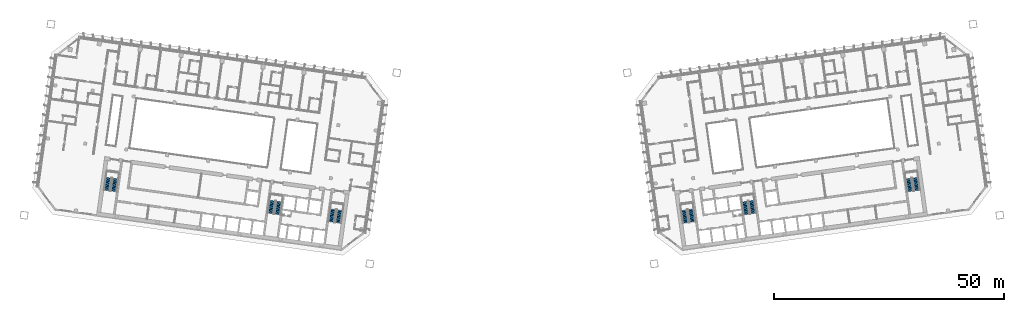
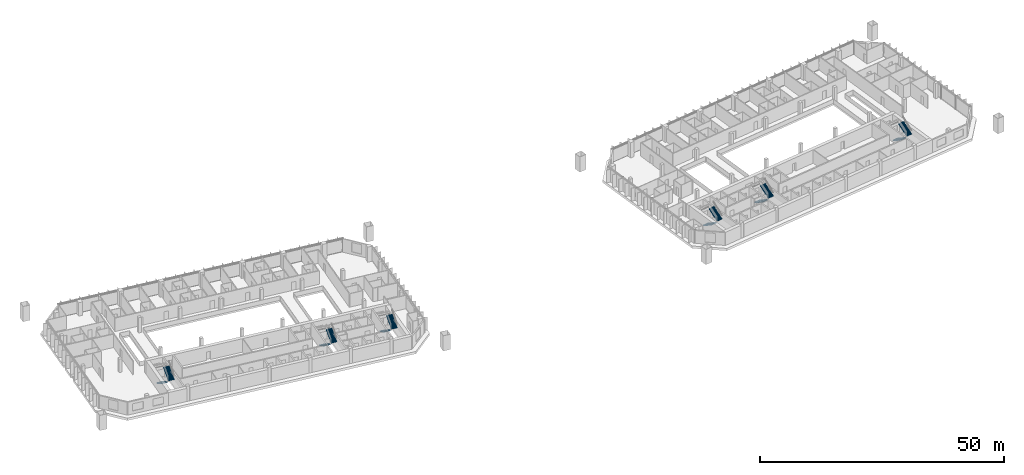
# One storey, part 24 of 26: 12 stair flights, 6 elements without a shape of their own.
"""IFC4 building model written with IfcOpenShell, lengths in metres."""

from ifc_helpers import new_model, si_unit, direction, frame, origin, place, context, subcontext, project, spatial, polyline, outline, extrude, material, type_object, element, aggregate, save


model = new_model("IFC4")

# Units and contexts
model_context = context("Model", 3, precision=1e-05, world=origin(), true_north=direction((0.0, 1.0)))
body_context = subcontext(model_context, "Body", "Model", "MODEL_VIEW")
ifc_project = project(units=[si_unit("LENGTHUNIT", "METRE"), si_unit("AREAUNIT", "SQUARE_METRE"), si_unit("VOLUMEUNIT", "CUBIC_METRE"), si_unit("PLANEANGLEUNIT", "RADIAN"), si_unit("MASSUNIT", "GRAM", prefix="KILO")], contexts=[model_context])

# Site, building, storey
site_placement = place(None, origin())
site = spatial("IfcSite", under=ifc_project, at=site_placement, CompositionType="ELEMENT")
building_placement = place(site_placement, origin())
building = spatial("IfcBuilding", under=site, at=building_placement, Name="Mirante Cascada Hotel Towers", CompositionType="ELEMENT")
storey_placement = place(building_placement, frame((0.0, 0.0, 144.3)))
storey = spatial("IfcBuildingStorey", under=building, at=storey_placement, Name="L33", CompositionType="ELEMENT", Elevation=144.3)

# Stair, stair flights
ifc_material_1 = material(Name="Concrete C35/45", Category="concrete")
stair_type = type_object("IfcStairType", Name="Exit stair half-turn 1350 concrete C35/45", PredefinedType="HALF_TURN_STAIR", material=ifc_material_1)
stair_1_placement = place(storey_placement, origin())
stair_1 = element("IfcStair", 1, at=stair_1_placement, inside=storey, type_object=stair_type, Name="L33 Exit stair A", PredefinedType="HALF_TURN_STAIR")
ifc_material_2 = material(Name="Concrete C35/45", Category="concrete")
stair_flight_type = type_object("IfcStairFlightType", Name="Exit stair flight 1350 concrete C35/45", PredefinedType="STRAIGHT", material=ifc_material_2)
stair_flight_1_placement = place(storey_placement, frame((-38.9417, -11.195, 0.0), z_axis=(0.0, 0.0, 1.0), x_axis=(-0.1391731, -0.9902681, 0.0)))
stair_flight_1 = element("IfcStairFlight", 2, at=stair_flight_1_placement, type_object=stair_flight_type, Name="ST1-A flight 1", NumberOfRisers=11, NumberOfTreads=10, PredefinedType="STRAIGHT", RiserHeight=0.172727273, TreadLength=0.28, context=body_context, shape_type="SweptSolid", body=[
    extrude(outline(polyline([(0.0, 0.0), (0.0, 0.1727), (0.28, 0.1727), (0.28, 0.3455), (0.56, 0.3455), (0.56, 0.5182), (0.84, 0.5182), (0.84, 0.6909), (1.12, 0.6909), (1.12, 0.8636), (1.4, 0.8636), (1.4, 1.0364), (1.68, 1.0364), (1.68, 1.2091), (1.96, 1.2091), (1.96, 1.3818), (2.24, 1.3818), (2.24, 1.5545), (2.52, 1.5545), (2.52, 1.7273), (2.8, 1.7273), (2.8, 1.9), (2.8, 1.551), (0.2857, 0.0), (0.0, 0.0)])), frame((0.0, 0.675, 0.0), z_axis=(0.0, -1.0, 0.0), x_axis=(1.0, 0.0, 0.0)), (0.0, 0.0, 1.0), 1.35),
])
stair_flight_2_placement = place(storey_placement, frame((-37.846, -14.1765, 1.9), z_axis=(0.0, 0.0, 1.0), x_axis=(0.1391731, 0.9902681, 0.0)))
stair_flight_2 = element("IfcStairFlight", 3, at=stair_flight_2_placement, type_object=stair_flight_type, Name="ST1-A flight 2", NumberOfRisers=11, NumberOfTreads=10, PredefinedType="STRAIGHT", RiserHeight=0.172727273, TreadLength=0.28, context=body_context, shape_type="SweptSolid", body=[
    extrude(outline(polyline([(0.0, 0.0), (0.0, 0.1727), (0.28, 0.1727), (0.28, 0.3455), (0.56, 0.3455), (0.56, 0.5182), (0.84, 0.5182), (0.84, 0.6909), (1.12, 0.6909), (1.12, 0.8636), (1.4, 0.8636), (1.4, 1.0364), (1.68, 1.0364), (1.68, 1.2091), (1.96, 1.2091), (1.96, 1.3818), (2.24, 1.3818), (2.24, 1.5545), (2.52, 1.5545), (2.52, 1.7273), (2.8, 1.7273), (2.8, 1.9), (2.8, 1.551), (0.2857, 0.0), (0.0, 0.0)])), frame((0.0, 0.675, 0.0), z_axis=(0.0, -1.0, 0.0), x_axis=(1.0, 0.0, 0.0)), (0.0, 0.0, 1.0), 1.35),
])
aggregate(stair_1, [stair_flight_1, stair_flight_2])

stair_2_placement = place(storey_placement, origin())
stair_2 = element("IfcStair", 4, at=stair_2_placement, inside=storey, type_object=stair_type, Name="L33 Exit stair B", PredefinedType="HALF_TURN_STAIR")
stair_flight_3_placement = place(storey_placement, frame((-52.1618, -9.3371, 0.0), z_axis=(0.0, 0.0, 1.0), x_axis=(-0.1391731, -0.9902681, 0.0)))
stair_flight_3 = element("IfcStairFlight", 5, at=stair_flight_3_placement, type_object=stair_flight_type, Name="ST1-B flight 1", NumberOfRisers=11, NumberOfTreads=10, PredefinedType="STRAIGHT", RiserHeight=0.172727273, TreadLength=0.28, context=body_context, shape_type="SweptSolid", body=[
    extrude(outline(polyline([(0.0, 0.0), (0.0, 0.1727), (0.28, 0.1727), (0.28, 0.3455), (0.56, 0.3455), (0.56, 0.5182), (0.84, 0.5182), (0.84, 0.6909), (1.12, 0.6909), (1.12, 0.8636), (1.4, 0.8636), (1.4, 1.0364), (1.68, 1.0364), (1.68, 1.2091), (1.96, 1.2091), (1.96, 1.3818), (2.24, 1.3818), (2.24, 1.5545), (2.52, 1.5545), (2.52, 1.7273), (2.8, 1.7273), (2.8, 1.9), (2.8, 1.551), (0.2857, 0.0), (0.0, 0.0)])), frame((0.0, 0.675, 0.0), z_axis=(0.0, -1.0, 0.0), x_axis=(1.0, 0.0, 0.0)), (0.0, 0.0, 1.0), 1.35),
])
stair_flight_4_placement = place(storey_placement, frame((-51.0661, -12.3186, 1.9), z_axis=(0.0, 0.0, 1.0), x_axis=(0.1391731, 0.9902681, 0.0)))
stair_flight_4 = element("IfcStairFlight", 6, at=stair_flight_4_placement, type_object=stair_flight_type, Name="ST1-B flight 2", NumberOfRisers=11, NumberOfTreads=10, PredefinedType="STRAIGHT", RiserHeight=0.172727273, TreadLength=0.28, context=body_context, shape_type="SweptSolid", body=[
    extrude(outline(polyline([(0.0, 0.0), (0.0, 0.1727), (0.28, 0.1727), (0.28, 0.3455), (0.56, 0.3455), (0.56, 0.5182), (0.84, 0.5182), (0.84, 0.6909), (1.12, 0.6909), (1.12, 0.8636), (1.4, 0.8636), (1.4, 1.0364), (1.68, 1.0364), (1.68, 1.2091), (1.96, 1.2091), (1.96, 1.3818), (2.24, 1.3818), (2.24, 1.5545), (2.52, 1.5545), (2.52, 1.7273), (2.8, 1.7273), (2.8, 1.9), (2.8, 1.551), (0.2857, 0.0), (0.0, 0.0)])), frame((0.0, 0.675, 0.0), z_axis=(0.0, -1.0, 0.0), x_axis=(1.0, 0.0, 0.0)), (0.0, 0.0, 1.0), 1.35),
])
aggregate(stair_2, [stair_flight_3, stair_flight_4])

stair_3_placement = place(storey_placement, origin())
stair_3 = element("IfcStair", 7, at=stair_3_placement, inside=storey, type_object=stair_type, Name="L33 Exit stair C", PredefinedType="HALF_TURN_STAIR")
stair_flight_5_placement = place(storey_placement, frame((-87.8115, -4.3268, 0.0), z_axis=(0.0, 0.0, 1.0), x_axis=(-0.1391731, -0.9902681, 0.0)))
stair_flight_5 = element("IfcStairFlight", 8, at=stair_flight_5_placement, type_object=stair_flight_type, Name="ST1-C flight 1", NumberOfRisers=11, NumberOfTreads=10, PredefinedType="STRAIGHT", RiserHeight=0.172727273, TreadLength=0.28, context=body_context, shape_type="SweptSolid", body=[
    extrude(outline(polyline([(0.0, 0.0), (0.0, 0.1727), (0.28, 0.1727), (0.28, 0.3455), (0.56, 0.3455), (0.56, 0.5182), (0.84, 0.5182), (0.84, 0.6909), (1.12, 0.6909), (1.12, 0.8636), (1.4, 0.8636), (1.4, 1.0364), (1.68, 1.0364), (1.68, 1.2091), (1.96, 1.2091), (1.96, 1.3818), (2.24, 1.3818), (2.24, 1.5545), (2.52, 1.5545), (2.52, 1.7273), (2.8, 1.7273), (2.8, 1.9), (2.8, 1.551), (0.2857, 0.0), (0.0, 0.0)])), frame((0.0, 0.675, 0.0), z_axis=(0.0, -1.0, 0.0), x_axis=(1.0, 0.0, 0.0)), (0.0, 0.0, 1.0), 1.35),
])
stair_flight_6_placement = place(storey_placement, frame((-86.7157, -7.3084, 1.9), z_axis=(0.0, 0.0, 1.0), x_axis=(0.1391731, 0.9902681, 0.0)))
stair_flight_6 = element("IfcStairFlight", 9, at=stair_flight_6_placement, type_object=stair_flight_type, Name="ST1-C flight 2", NumberOfRisers=11, NumberOfTreads=10, PredefinedType="STRAIGHT", RiserHeight=0.172727273, TreadLength=0.28, context=body_context, shape_type="SweptSolid", body=[
    extrude(outline(polyline([(0.0, 0.0), (0.0, 0.1727), (0.28, 0.1727), (0.28, 0.3455), (0.56, 0.3455), (0.56, 0.5182), (0.84, 0.5182), (0.84, 0.6909), (1.12, 0.6909), (1.12, 0.8636), (1.4, 0.8636), (1.4, 1.0364), (1.68, 1.0364), (1.68, 1.2091), (1.96, 1.2091), (1.96, 1.3818), (2.24, 1.3818), (2.24, 1.5545), (2.52, 1.5545), (2.52, 1.7273), (2.8, 1.7273), (2.8, 1.9), (2.8, 1.551), (0.2857, 0.0), (0.0, 0.0)])), frame((0.0, 0.675, 0.0), z_axis=(0.0, -1.0, 0.0), x_axis=(1.0, 0.0, 0.0)), (0.0, 0.0, 1.0), 1.35),
])
aggregate(stair_3, [stair_flight_5, stair_flight_6])

stair_4_placement = place(storey_placement, origin())
stair_4 = element("IfcStair", 10, at=stair_4_placement, inside=storey, type_object=stair_type, Name="L33 Exit stair A", PredefinedType="HALF_TURN_STAIR")
stair_flight_7_placement = place(storey_placement, frame((37.4563, -11.4038, 0.0), z_axis=(0.0, 0.0, 1.0), x_axis=(0.1391731, -0.9902681, 0.0)))
stair_flight_7 = element("IfcStairFlight", 11, at=stair_flight_7_placement, type_object=stair_flight_type, Name="ST2-A flight 1", NumberOfRisers=11, NumberOfTreads=10, PredefinedType="STRAIGHT", RiserHeight=0.172727273, TreadLength=0.28, context=body_context, shape_type="SweptSolid", body=[
    extrude(outline(polyline([(0.0, 0.0), (0.0, 0.1727), (0.28, 0.1727), (0.28, 0.3455), (0.56, 0.3455), (0.56, 0.5182), (0.84, 0.5182), (0.84, 0.6909), (1.12, 0.6909), (1.12, 0.8636), (1.4, 0.8636), (1.4, 1.0364), (1.68, 1.0364), (1.68, 1.2091), (1.96, 1.2091), (1.96, 1.3818), (2.24, 1.3818), (2.24, 1.5545), (2.52, 1.5545), (2.52, 1.7273), (2.8, 1.7273), (2.8, 1.9), (2.8, 1.551), (0.2857, 0.0), (0.0, 0.0)])), frame((0.0, 0.675, 0.0), z_axis=(0.0, -1.0, 0.0), x_axis=(1.0, 0.0, 0.0)), (0.0, 0.0, 1.0), 1.35),
])
stair_flight_8_placement = place(storey_placement, frame((39.3314, -13.9678, 1.9), z_axis=(0.0, 0.0, 1.0), x_axis=(-0.1391731, 0.9902681, 0.0)))
stair_flight_8 = element("IfcStairFlight", 12, at=stair_flight_8_placement, type_object=stair_flight_type, Name="ST2-A flight 2", NumberOfRisers=11, NumberOfTreads=10, PredefinedType="STRAIGHT", RiserHeight=0.172727273, TreadLength=0.28, context=body_context, shape_type="SweptSolid", body=[
    extrude(outline(polyline([(0.0, 0.0), (0.0, 0.1727), (0.28, 0.1727), (0.28, 0.3455), (0.56, 0.3455), (0.56, 0.5182), (0.84, 0.5182), (0.84, 0.6909), (1.12, 0.6909), (1.12, 0.8636), (1.4, 0.8636), (1.4, 1.0364), (1.68, 1.0364), (1.68, 1.2091), (1.96, 1.2091), (1.96, 1.3818), (2.24, 1.3818), (2.24, 1.5545), (2.52, 1.5545), (2.52, 1.7273), (2.8, 1.7273), (2.8, 1.9), (2.8, 1.551), (0.2857, 0.0), (0.0, 0.0)])), frame((0.0, 0.675, 0.0), z_axis=(0.0, -1.0, 0.0), x_axis=(1.0, 0.0, 0.0)), (0.0, 0.0, 1.0), 1.35),
])
aggregate(stair_4, [stair_flight_7, stair_flight_8])

stair_5_placement = place(storey_placement, origin())
stair_5 = element("IfcStair", 13, at=stair_5_placement, inside=storey, type_object=stair_type, Name="L33 Exit stair B", PredefinedType="HALF_TURN_STAIR")
stair_flight_9_placement = place(storey_placement, frame((50.6764, -9.5458, 0.0), z_axis=(0.0, 0.0, 1.0), x_axis=(0.1391731, -0.9902681, 0.0)))
stair_flight_9 = element("IfcStairFlight", 14, at=stair_flight_9_placement, type_object=stair_flight_type, Name="ST2-B flight 1", NumberOfRisers=11, NumberOfTreads=10, PredefinedType="STRAIGHT", RiserHeight=0.172727273, TreadLength=0.28, context=body_context, shape_type="SweptSolid", body=[
    extrude(outline(polyline([(0.0, 0.0), (0.0, 0.1727), (0.28, 0.1727), (0.28, 0.3455), (0.56, 0.3455), (0.56, 0.5182), (0.84, 0.5182), (0.84, 0.6909), (1.12, 0.6909), (1.12, 0.8636), (1.4, 0.8636), (1.4, 1.0364), (1.68, 1.0364), (1.68, 1.2091), (1.96, 1.2091), (1.96, 1.3818), (2.24, 1.3818), (2.24, 1.5545), (2.52, 1.5545), (2.52, 1.7273), (2.8, 1.7273), (2.8, 1.9), (2.8, 1.551), (0.2857, 0.0), (0.0, 0.0)])), frame((0.0, 0.675, 0.0), z_axis=(0.0, -1.0, 0.0), x_axis=(1.0, 0.0, 0.0)), (0.0, 0.0, 1.0), 1.35),
])
stair_flight_10_placement = place(storey_placement, frame((52.5515, -12.1098, 1.9), z_axis=(0.0, 0.0, 1.0), x_axis=(-0.1391731, 0.9902681, 0.0)))
stair_flight_10 = element("IfcStairFlight", 15, at=stair_flight_10_placement, type_object=stair_flight_type, Name="ST2-B flight 2", NumberOfRisers=11, NumberOfTreads=10, PredefinedType="STRAIGHT", RiserHeight=0.172727273, TreadLength=0.28, context=body_context, shape_type="SweptSolid", body=[
    extrude(outline(polyline([(0.0, 0.0), (0.0, 0.1727), (0.28, 0.1727), (0.28, 0.3455), (0.56, 0.3455), (0.56, 0.5182), (0.84, 0.5182), (0.84, 0.6909), (1.12, 0.6909), (1.12, 0.8636), (1.4, 0.8636), (1.4, 1.0364), (1.68, 1.0364), (1.68, 1.2091), (1.96, 1.2091), (1.96, 1.3818), (2.24, 1.3818), (2.24, 1.5545), (2.52, 1.5545), (2.52, 1.7273), (2.8, 1.7273), (2.8, 1.9), (2.8, 1.551), (0.2857, 0.0), (0.0, 0.0)])), frame((0.0, 0.675, 0.0), z_axis=(0.0, -1.0, 0.0), x_axis=(1.0, 0.0, 0.0)), (0.0, 0.0, 1.0), 1.35),
])
aggregate(stair_5, [stair_flight_9, stair_flight_10])

stair_6_placement = place(storey_placement, origin())
stair_6 = element("IfcStair", 16, at=stair_6_placement, inside=storey, type_object=stair_type, Name="L33 Exit stair C", PredefinedType="HALF_TURN_STAIR")
stair_flight_11_placement = place(storey_placement, frame((86.326, -4.5356, 0.0), z_axis=(0.0, 0.0, 1.0), x_axis=(0.1391731, -0.9902681, 0.0)))
stair_flight_11 = element("IfcStairFlight", 17, at=stair_flight_11_placement, type_object=stair_flight_type, Name="ST2-C flight 1", NumberOfRisers=11, NumberOfTreads=10, PredefinedType="STRAIGHT", RiserHeight=0.172727273, TreadLength=0.28, context=body_context, shape_type="SweptSolid", body=[
    extrude(outline(polyline([(0.0, 0.0), (0.0, 0.1727), (0.28, 0.1727), (0.28, 0.3455), (0.56, 0.3455), (0.56, 0.5182), (0.84, 0.5182), (0.84, 0.6909), (1.12, 0.6909), (1.12, 0.8636), (1.4, 0.8636), (1.4, 1.0364), (1.68, 1.0364), (1.68, 1.2091), (1.96, 1.2091), (1.96, 1.3818), (2.24, 1.3818), (2.24, 1.5545), (2.52, 1.5545), (2.52, 1.7273), (2.8, 1.7273), (2.8, 1.9), (2.8, 1.551), (0.2857, 0.0), (0.0, 0.0)])), frame((0.0, 0.675, 0.0), z_axis=(0.0, -1.0, 0.0), x_axis=(1.0, 0.0, 0.0)), (0.0, 0.0, 1.0), 1.35),
])
stair_flight_12_placement = place(storey_placement, frame((88.2011, -7.0996, 1.9), z_axis=(0.0, 0.0, 1.0), x_axis=(-0.1391731, 0.9902681, 0.0)))
stair_flight_12 = element("IfcStairFlight", 18, at=stair_flight_12_placement, type_object=stair_flight_type, Name="ST2-C flight 2", NumberOfRisers=11, NumberOfTreads=10, PredefinedType="STRAIGHT", RiserHeight=0.172727273, TreadLength=0.28, context=body_context, shape_type="SweptSolid", body=[
    extrude(outline(polyline([(0.0, 0.0), (0.0, 0.1727), (0.28, 0.1727), (0.28, 0.3455), (0.56, 0.3455), (0.56, 0.5182), (0.84, 0.5182), (0.84, 0.6909), (1.12, 0.6909), (1.12, 0.8636), (1.4, 0.8636), (1.4, 1.0364), (1.68, 1.0364), (1.68, 1.2091), (1.96, 1.2091), (1.96, 1.3818), (2.24, 1.3818), (2.24, 1.5545), (2.52, 1.5545), (2.52, 1.7273), (2.8, 1.7273), (2.8, 1.9), (2.8, 1.551), (0.2857, 0.0), (0.0, 0.0)])), frame((0.0, 0.675, 0.0), z_axis=(0.0, -1.0, 0.0), x_axis=(1.0, 0.0, 0.0)), (0.0, 0.0, 1.0), 1.35),
])
aggregate(stair_6, [stair_flight_11, stair_flight_12])

save(model, "model.ifc")
